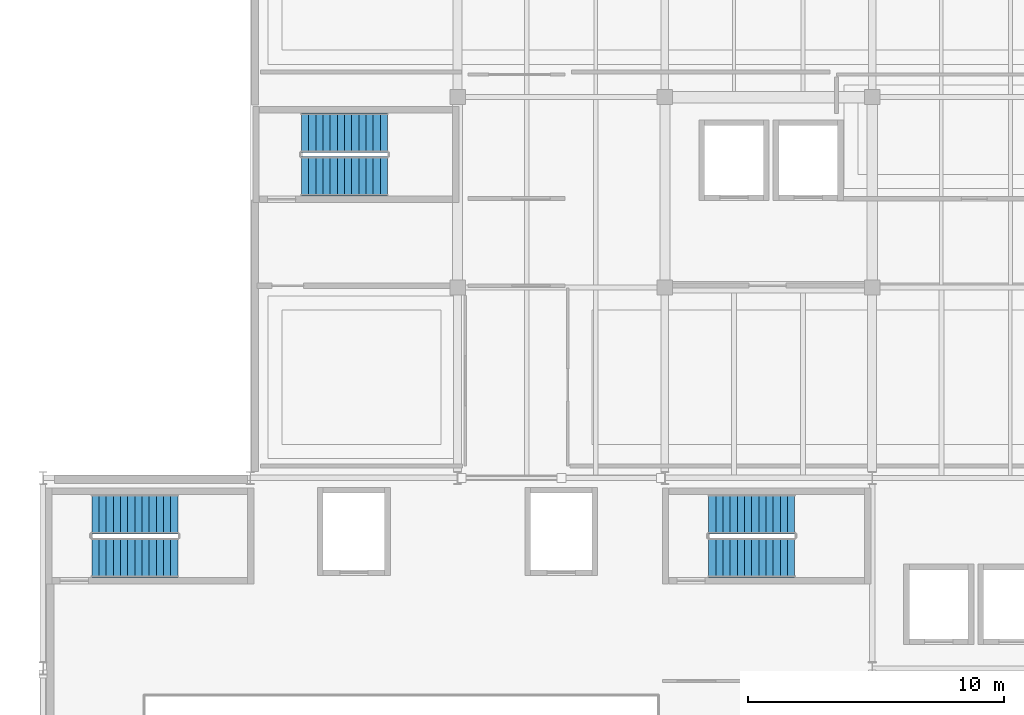
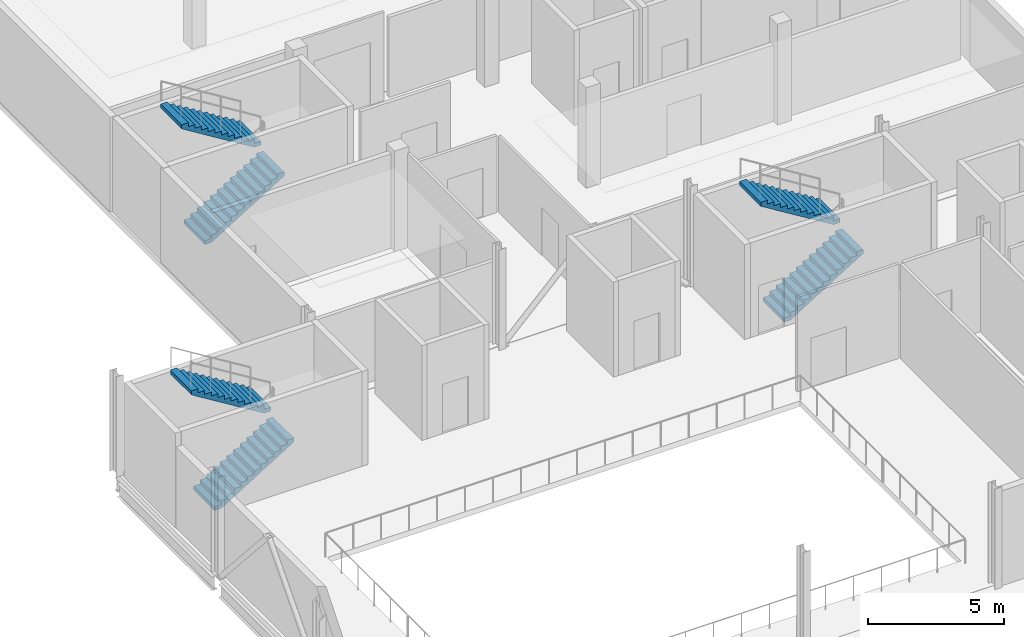
# One storey, part 51 of 56: 6 stair flights, 3 elements without a shape of their own.
"""IFC4 building model written with IfcOpenShell, lengths in metres."""

from ifc_helpers import new_model, si_unit, direction, frame, origin, place, context, subcontext, project, spatial, polyline, outline, extrude, material, type_object, element, aggregate, save


model = new_model("IFC4")

# Units and contexts
model_context = context("Model", 3, precision=1e-05, world=origin(), true_north=direction((0.0, 1.0)))
body_context = subcontext(model_context, "Body", "Model", "MODEL_VIEW")
ifc_project = project(units=[si_unit("LENGTHUNIT", "METRE"), si_unit("AREAUNIT", "SQUARE_METRE"), si_unit("VOLUMEUNIT", "CUBIC_METRE"), si_unit("PLANEANGLEUNIT", "RADIAN"), si_unit("MASSUNIT", "GRAM", prefix="KILO")], contexts=[model_context])

# Site, building, storey
site_placement = place(None, origin())
site = spatial("IfcSite", under=ifc_project, at=site_placement, CompositionType="ELEMENT")
building_placement = place(site_placement, origin())
building = spatial("IfcBuilding", under=site, at=building_placement, Name="Kaelora Sail Theatre", CompositionType="ELEMENT")
storey_placement = place(building_placement, frame((0.0, 0.0, 14.699951171875)))
storey = spatial("IfcBuildingStorey", under=building, at=storey_placement, Name="L03", CompositionType="ELEMENT", Elevation=14.699951171875)

# Stair, stair flights
ifc_material_1 = material(Name="Concrete C40/50", Category="concrete")
stair_type = type_object("IfcStairType", Name="ARC-ST-ESC150", PredefinedType="HALF_TURN_STAIR", material=ifc_material_1)
stair_1_placement = place(storey_placement, origin())
stair_1 = element("IfcStair", 1, at=stair_1_placement, inside=storey, type_object=stair_type, Name="L03 ST-K1", PredefinedType="HALF_TURN_STAIR")
ifc_material_2 = material(Name="Concrete C40/50", Category="concrete")
stair_flight_type = type_object("IfcStairFlightType", Name="ARC-SF-150", PredefinedType="STRAIGHT", material=ifc_material_2)
stair_flight_1_placement = place(storey_placement, frame((27.7099609375, 80.22509765625, 0.0), z_axis=(0.0, 0.0, 1.0), x_axis=(1.0, 0.0, 0.0)))
stair_flight_1 = element("IfcStairFlight", 2, at=stair_flight_1_placement, type_object=stair_flight_type, Name="ST-K1 flight 1", NumberOfRisers=13, NumberOfTreads=12, PredefinedType="STRAIGHT", RiserHeight=0.173076923, TreadLength=0.28, context=body_context, shape_type="SweptSolid", body=[
    extrude(outline(polyline([(0.0, 0.0), (0.0, 0.173095703125), (0.280029296875, 0.173095703125), (0.280029296875, 0.34619140625), (0.56005859375, 0.34619140625), (0.56005859375, 0.519287109375), (0.840087890625, 0.519287109375), (0.840087890625, 0.6923828125), (1.1201171875, 0.6923828125), (1.1201171875, 0.865478515625), (1.39990234375, 0.865478515625), (1.39990234375, 1.03857421875), (1.679931640625, 1.03857421875), (1.679931640625, 1.21142578125), (1.9599609375, 1.21142578125), (1.9599609375, 1.384521484375), (2.239990234375, 1.384521484375), (2.239990234375, 1.5576171875), (2.52001953125, 1.5576171875), (2.52001953125, 1.730712890625), (2.800048828125, 1.730712890625), (2.800048828125, 1.90380859375), (3.080078125, 1.90380859375), (3.080078125, 2.076904296875), (3.360107421875, 2.076904296875), (3.360107421875, 2.25), (3.360107421875, 1.900634765625), (0.28515625, 0.0), (0.0, 0.0)])), frame((0.0, 0.77490234375, 0.0), z_axis=(0.0, -1.0, 0.0), x_axis=(1.0, 0.0, 0.0)), (0.0, 0.0, 1.0), 1.550048828125),
])
stair_flight_2_placement = place(storey_placement, frame((31.070068359375, 81.925048828125, 2.25), z_axis=(0.0, 0.0, 1.0), x_axis=(-1.0, 0.0, 0.0)))
stair_flight_2 = element("IfcStairFlight", 3, at=stair_flight_2_placement, type_object=stair_flight_type, Name="ST-K1 flight 2", NumberOfRisers=13, NumberOfTreads=12, PredefinedType="STRAIGHT", RiserHeight=0.173076923, TreadLength=0.28, context=body_context, shape_type="SweptSolid", body=[
    extrude(outline(polyline([(0.0, 0.0), (0.0, 0.173095703125), (0.280029296875, 0.173095703125), (0.280029296875, 0.34619140625), (0.56005859375, 0.34619140625), (0.56005859375, 0.519287109375), (0.840087890625, 0.519287109375), (0.840087890625, 0.6923828125), (1.1201171875, 0.6923828125), (1.1201171875, 0.865478515625), (1.39990234375, 0.865478515625), (1.39990234375, 1.03857421875), (1.679931640625, 1.03857421875), (1.679931640625, 1.21142578125), (1.9599609375, 1.21142578125), (1.9599609375, 1.384521484375), (2.239990234375, 1.384521484375), (2.239990234375, 1.5576171875), (2.52001953125, 1.5576171875), (2.52001953125, 1.730712890625), (2.800048828125, 1.730712890625), (2.800048828125, 1.90380859375), (3.080078125, 1.90380859375), (3.080078125, 2.076904296875), (3.360107421875, 2.076904296875), (3.360107421875, 2.25), (3.360107421875, 1.900634765625), (0.28515625, 0.0), (0.0, 0.0)])), frame((0.0, 0.77490234375, 0.0), z_axis=(0.0, -1.0, 0.0), x_axis=(1.0, 0.0, 0.0)), (0.0, 0.0, 1.0), 1.550048828125),
])
aggregate(stair_1, [stair_flight_1, stair_flight_2])

stair_2_placement = place(storey_placement, origin())
stair_2 = element("IfcStair", 4, at=stair_2_placement, inside=storey, type_object=stair_type, Name="L03 ST-K5", PredefinedType="HALF_TURN_STAIR")
stair_flight_3_placement = place(storey_placement, frame((51.81005859375, 80.22509765625, 0.0), z_axis=(0.0, 0.0, 1.0), x_axis=(1.0, 0.0, 0.0)))
stair_flight_3 = element("IfcStairFlight", 5, at=stair_flight_3_placement, type_object=stair_flight_type, Name="ST-K5 flight 1", NumberOfRisers=13, NumberOfTreads=12, PredefinedType="STRAIGHT", RiserHeight=0.173076923, TreadLength=0.28, context=body_context, shape_type="SweptSolid", body=[
    extrude(outline(polyline([(0.0, 0.0), (0.0, 0.173095703125), (0.280029296875, 0.173095703125), (0.280029296875, 0.34619140625), (0.56005859375, 0.34619140625), (0.56005859375, 0.519287109375), (0.840087890625, 0.519287109375), (0.840087890625, 0.6923828125), (1.1201171875, 0.6923828125), (1.1201171875, 0.865478515625), (1.39990234375, 0.865478515625), (1.39990234375, 1.03857421875), (1.679931640625, 1.03857421875), (1.679931640625, 1.21142578125), (1.9599609375, 1.21142578125), (1.9599609375, 1.384521484375), (2.239990234375, 1.384521484375), (2.239990234375, 1.5576171875), (2.52001953125, 1.5576171875), (2.52001953125, 1.730712890625), (2.800048828125, 1.730712890625), (2.800048828125, 1.90380859375), (3.080078125, 1.90380859375), (3.080078125, 2.076904296875), (3.360107421875, 2.076904296875), (3.360107421875, 2.25), (3.360107421875, 1.900634765625), (0.28515625, 0.0), (0.0, 0.0)])), frame((0.0, 0.77490234375, 0.0), z_axis=(0.0, -1.0, 0.0), x_axis=(1.0, 0.0, 0.0)), (0.0, 0.0, 1.0), 1.550048828125),
])
stair_flight_4_placement = place(storey_placement, frame((55.169921875, 81.925048828125, 2.25), z_axis=(0.0, 0.0, 1.0), x_axis=(-1.0, 0.0, 0.0)))
stair_flight_4 = element("IfcStairFlight", 6, at=stair_flight_4_placement, type_object=stair_flight_type, Name="ST-K5 flight 2", NumberOfRisers=13, NumberOfTreads=12, PredefinedType="STRAIGHT", RiserHeight=0.173076923, TreadLength=0.28, context=body_context, shape_type="SweptSolid", body=[
    extrude(outline(polyline([(0.0, 0.0), (0.0, 0.173095703125), (0.280029296875, 0.173095703125), (0.280029296875, 0.34619140625), (0.56005859375, 0.34619140625), (0.56005859375, 0.519287109375), (0.840087890625, 0.519287109375), (0.840087890625, 0.6923828125), (1.1201171875, 0.6923828125), (1.1201171875, 0.865478515625), (1.39990234375, 0.865478515625), (1.39990234375, 1.03857421875), (1.679931640625, 1.03857421875), (1.679931640625, 1.21142578125), (1.9599609375, 1.21142578125), (1.9599609375, 1.384521484375), (2.239990234375, 1.384521484375), (2.239990234375, 1.5576171875), (2.52001953125, 1.5576171875), (2.52001953125, 1.730712890625), (2.800048828125, 1.730712890625), (2.800048828125, 1.90380859375), (3.080078125, 1.90380859375), (3.080078125, 2.076904296875), (3.360107421875, 2.076904296875), (3.360107421875, 2.25), (3.360107421875, 1.900634765625), (0.28515625, 0.0), (0.0, 0.0)])), frame((0.0, 0.77490234375, 0.0), z_axis=(0.0, -1.0, 0.0), x_axis=(1.0, 0.0, 0.0)), (0.0, 0.0, 1.0), 1.550048828125),
])
aggregate(stair_2, [stair_flight_3, stair_flight_4])

stair_3_placement = place(storey_placement, origin())
stair_3 = element("IfcStair", 7, at=stair_3_placement, inside=storey, type_object=stair_type, Name="L03 ST-K2", PredefinedType="HALF_TURN_STAIR")
stair_flight_5_placement = place(storey_placement, frame((35.89990234375, 95.125, 0.0), z_axis=(0.0, 0.0, 1.0), x_axis=(1.0, 0.0, 0.0)))
stair_flight_5 = element("IfcStairFlight", 8, at=stair_flight_5_placement, type_object=stair_flight_type, Name="ST-K2 flight 1", NumberOfRisers=13, NumberOfTreads=12, PredefinedType="STRAIGHT", RiserHeight=0.173076923, TreadLength=0.28, context=body_context, shape_type="SweptSolid", body=[
    extrude(outline(polyline([(0.0, 0.0), (0.0, 0.173095703125), (0.280029296875, 0.173095703125), (0.280029296875, 0.34619140625), (0.56005859375, 0.34619140625), (0.56005859375, 0.519287109375), (0.840087890625, 0.519287109375), (0.840087890625, 0.6923828125), (1.1201171875, 0.6923828125), (1.1201171875, 0.865478515625), (1.39990234375, 0.865478515625), (1.39990234375, 1.03857421875), (1.679931640625, 1.03857421875), (1.679931640625, 1.21142578125), (1.9599609375, 1.21142578125), (1.9599609375, 1.384521484375), (2.239990234375, 1.384521484375), (2.239990234375, 1.5576171875), (2.52001953125, 1.5576171875), (2.52001953125, 1.730712890625), (2.800048828125, 1.730712890625), (2.800048828125, 1.90380859375), (3.080078125, 1.90380859375), (3.080078125, 2.076904296875), (3.360107421875, 2.076904296875), (3.360107421875, 2.25), (3.360107421875, 1.900634765625), (0.28515625, 0.0), (0.0, 0.0)])), frame((0.0, 0.77490234375, 0.0), z_axis=(0.0, -1.0, 0.0), x_axis=(1.0, 0.0, 0.0)), (0.0, 0.0, 1.0), 1.550048828125),
])
stair_flight_6_placement = place(storey_placement, frame((39.260009765625, 96.824951171875, 2.25), z_axis=(0.0, 0.0, 1.0), x_axis=(-1.0, 0.0, 0.0)))
stair_flight_6 = element("IfcStairFlight", 9, at=stair_flight_6_placement, type_object=stair_flight_type, Name="ST-K2 flight 2", NumberOfRisers=13, NumberOfTreads=12, PredefinedType="STRAIGHT", RiserHeight=0.173076923, TreadLength=0.28, context=body_context, shape_type="SweptSolid", body=[
    extrude(outline(polyline([(0.0, 0.0), (0.0, 0.173095703125), (0.280029296875, 0.173095703125), (0.280029296875, 0.34619140625), (0.56005859375, 0.34619140625), (0.56005859375, 0.519287109375), (0.840087890625, 0.519287109375), (0.840087890625, 0.6923828125), (1.1201171875, 0.6923828125), (1.1201171875, 0.865478515625), (1.39990234375, 0.865478515625), (1.39990234375, 1.03857421875), (1.679931640625, 1.03857421875), (1.679931640625, 1.21142578125), (1.9599609375, 1.21142578125), (1.9599609375, 1.384521484375), (2.239990234375, 1.384521484375), (2.239990234375, 1.5576171875), (2.52001953125, 1.5576171875), (2.52001953125, 1.730712890625), (2.800048828125, 1.730712890625), (2.800048828125, 1.90380859375), (3.080078125, 1.90380859375), (3.080078125, 2.076904296875), (3.360107421875, 2.076904296875), (3.360107421875, 2.25), (3.360107421875, 1.900634765625), (0.28515625, 0.0), (0.0, 0.0)])), frame((0.0, 0.77490234375, 0.0), z_axis=(0.0, -1.0, 0.0), x_axis=(1.0, 0.0, 0.0)), (0.0, 0.0, 1.0), 1.550048828125),
])
aggregate(stair_3, [stair_flight_5, stair_flight_6])

save(model, "model.ifc")
